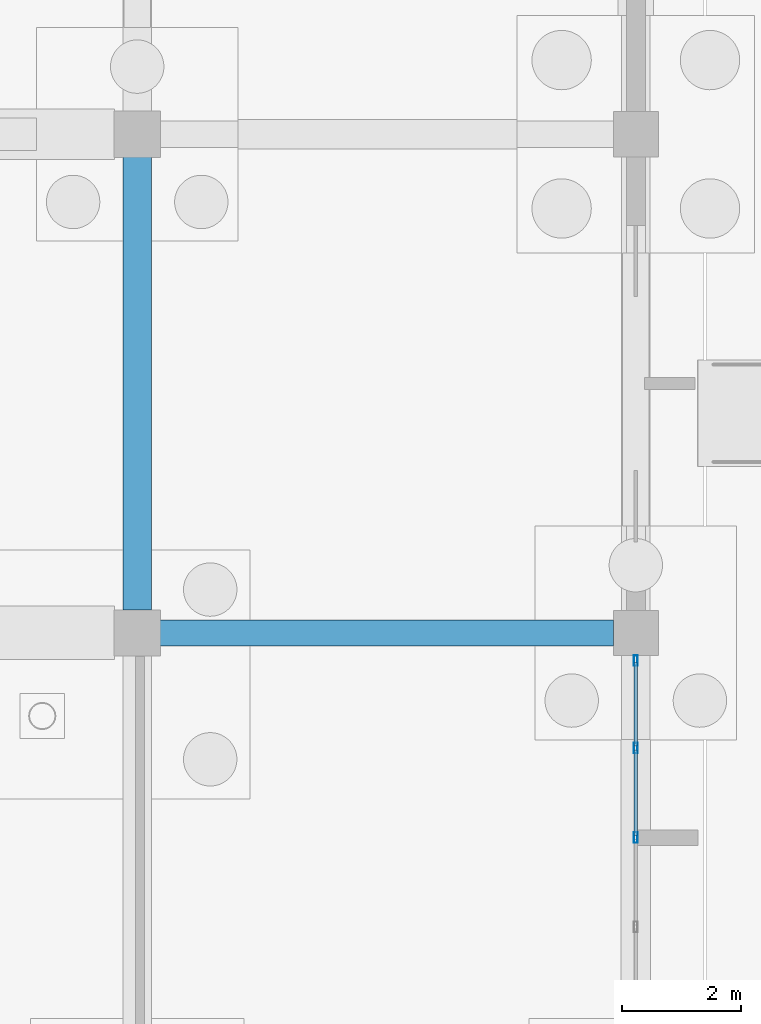
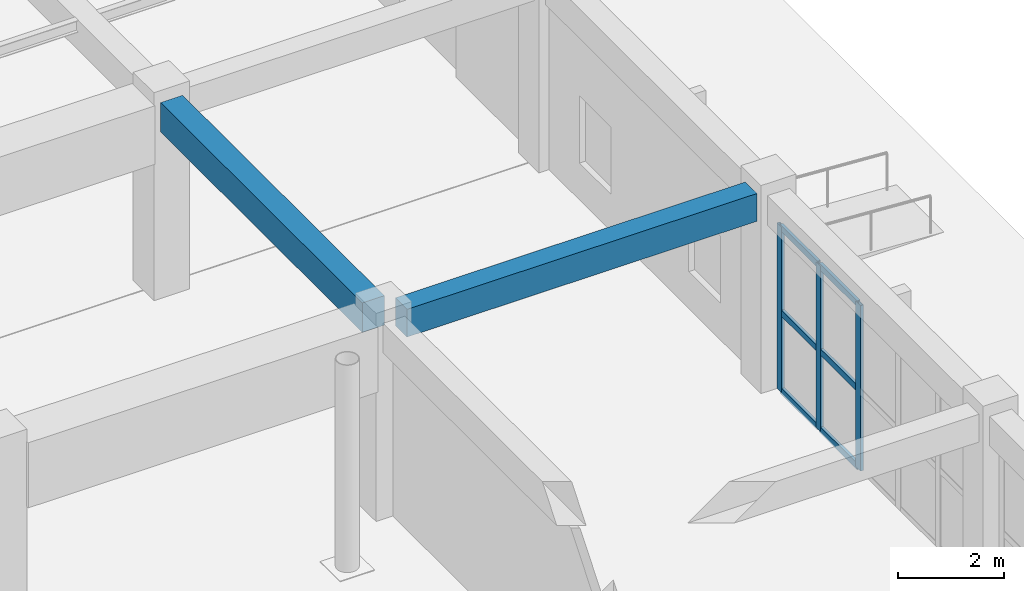
# One storey, part 133 of 192: 9 members, 2 beams, 1 element without a shape of its own.
"""IFC4 building model written with IfcOpenShell, lengths in metres."""

from ifc_helpers import new_model, si_unit, direction, frame, origin, origin_2d, place, context, subcontext, project, spatial, rectangle, hollow_rectangle, extrude, material, layer, layer_set, material_profile, profile_set, type_object, element, aggregate, save


model = new_model("IFC4")

# Units and contexts
model_context = context("Model", 3, precision=1e-05, world=origin(), true_north=direction((0.0, 1.0)))
body_context = subcontext(model_context, "Body", "Model", "MODEL_VIEW")
ifc_project = project(units=[si_unit("LENGTHUNIT", "METRE"), si_unit("AREAUNIT", "SQUARE_METRE"), si_unit("VOLUMEUNIT", "CUBIC_METRE"), si_unit("PLANEANGLEUNIT", "RADIAN"), si_unit("MASSUNIT", "GRAM", prefix="KILO")], contexts=[model_context])

# Site, building, storey
site_placement = place(None, origin())
site = spatial("IfcSite", under=ifc_project, at=site_placement, CompositionType="ELEMENT")
building_placement = place(site_placement, origin())
building = spatial("IfcBuilding", under=site, at=building_placement, Name="Trelvath General Hospital", CompositionType="ELEMENT")
storey_placement = place(building_placement, origin())
storey = spatial("IfcBuildingStorey", under=building, at=storey_placement, Name="L00", CompositionType="ELEMENT", Elevation=0.0)

# Beams
ifc_material_1 = material(Name="Concrete C35/45", Category="concrete")
ifc_material_profile_1 = material_profile(ifc_material_1, rectangle(XDim=0.43994140625, YDim=0.639892578125, at=origin_2d()), Name="RCB440x640")
ifc_profile_set_1 = profile_set([ifc_material_profile_1], Name="Concrete C35/45")
beam_type_1 = type_object("IfcBeamType", Name="Beam RC440x640", PredefinedType="BEAM", material=ifc_profile_set_1)
beam_1_placement = place(storey_placement, frame((176.784912109375, 67.199951171875, 4.199951171875), z_axis=(1.0, 0.0, 0.0), x_axis=(0.0, 1.0, 0.0)))
element("IfcBeam", 1, at=beam_1_placement, inside=storey, type_object=beam_type_1, Name="Grid Beam BX-021I", PredefinedType="BEAM", context=body_context, shape_type="SweptSolid", body=[
    extrude(rectangle(XDim=0.43994140625, YDim=0.639892578125, at=origin_2d()), origin(), (0.0, 0.0, 1.0), 7.64013671875),
])
ifc_material_2 = material(Name="Concrete C35/45", Category="concrete")
ifc_material_profile_2 = material_profile(ifc_material_2, rectangle(XDim=0.47998046875, YDim=0.679931640625, at=origin_2d()), Name="RCB480x680")
ifc_profile_set_2 = profile_set([ifc_material_profile_2], Name="Concrete C35/45")
beam_type_2 = type_object("IfcBeamType", Name="Beam RC480x680", PredefinedType="BEAM", material=ifc_profile_set_2)
beam_2_placement = place(storey_placement, frame((176.39990234375, 67.5849609375, 4.179931640625), z_axis=(0.0, 1.0, 0.0), x_axis=(-1.0, 0.0, 0.0)))
element("IfcBeam", 2, at=beam_2_placement, inside=storey, type_object=beam_type_2, Name="Grid Beam BY-021I", PredefinedType="BEAM", context=body_context, shape_type="SweptSolid", body=[
    extrude(rectangle(XDim=0.47998046875, YDim=0.679931640625, at=origin_2d()), origin(), (0.0, 0.0, 1.0), 7.630126953125),
])

# Curtain wall, members
ifc_material_3 = material(Name="Anodised aluminium and low-E glass", Category="aluminium")
ifc_layer = layer(ifc_material_3, 0.179931640625)
ifc_layer_set = layer_set([ifc_layer], Name="Anodised aluminium and low-E glass")
curtain_wall_type = type_object("IfcCurtainWallType", Name="CW Facade 753 382 18", PredefinedType="USERDEFINED", material=ifc_layer_set)
curtain_wall_placement = place(storey_placement, origin())
curtain_wall = element("IfcCurtainWall", 3, at=curtain_wall_placement, inside=storey, type_object=curtain_wall_type, Name="Facade Curtain Wall CW-013", ObjectType="Unitised Glazed Curtain Wall", PredefinedType="USERDEFINED")
ifc_material_4 = material(Name="Anodised aluminium", Category="aluminium")
ifc_material_profile_3 = material_profile(ifc_material_4, hollow_rectangle(XDim=0.06494140625, YDim=0.179931640625, WallThickness=0.0048828125, at=origin_2d()), Name="RHS65x180x5")
ifc_profile_set_3 = profile_set([ifc_material_profile_3], Name="Anodised aluminium")
member_type_1 = type_object("IfcMemberType", Name="CurtainMullion 65x180", PredefinedType="MULLION", material=ifc_profile_set_3)
member_1_placement = place(storey_placement, frame((184.800048828125, 66.732421875, 0.0), z_axis=(0.0, 0.0, 1.0), x_axis=(1.0, 0.0, 0.0)))
member_1 = element("IfcMember", 4, at=member_1_placement, type_object=member_type_1, Name="CW-013 mullion 1", PredefinedType="MULLION", context=body_context, shape_type="SweptSolid", body=[
    extrude(hollow_rectangle(XDim=0.06494140625, YDim=0.179931640625, WallThickness=0.0048828125, at=origin_2d()), origin(), (0.0, 0.0, 1.0), 3.820068359375),
])
member_2_placement = place(storey_placement, frame((184.800048828125, 65.259033203125, 0.0), z_axis=(0.0, 0.0, 1.0), x_axis=(1.0, 0.0, 0.0)))
member_2 = element("IfcMember", 5, at=member_2_placement, type_object=member_type_1, Name="CW-013 mullion 2", PredefinedType="MULLION", context=body_context, shape_type="SweptSolid", body=[
    extrude(hollow_rectangle(XDim=0.06494140625, YDim=0.179931640625, WallThickness=0.0048828125, at=origin_2d()), origin(), (0.0, 0.0, 1.0), 3.820068359375),
])
member_3_placement = place(storey_placement, frame((184.800048828125, 63.7529296875, 0.0), z_axis=(0.0, 0.0, 1.0), x_axis=(1.0, 0.0, 0.0)))
member_3 = element("IfcMember", 6, at=member_3_placement, type_object=member_type_1, Name="CW-013 mullion 3", PredefinedType="MULLION", context=body_context, shape_type="SweptSolid", body=[
    extrude(hollow_rectangle(XDim=0.06494140625, YDim=0.179931640625, WallThickness=0.0048828125, at=origin_2d()), origin(), (0.0, 0.0, 1.0), 3.820068359375),
])
ifc_material_5 = material(Name="Anodised aluminium", Category="aluminium")
ifc_material_profile_4 = material_profile(ifc_material_5, hollow_rectangle(XDim=0.06494140625, YDim=0.14501953125, WallThickness=0.00390625, at=origin_2d()), Name="RHS65x145x4")
ifc_profile_set_4 = profile_set([ifc_material_profile_4], Name="Anodised aluminium")
member_type_2 = type_object("IfcMemberType", Name="CurtainTransom 65x145", PredefinedType="USERDEFINED", material=ifc_profile_set_4)
member_4_placement = place(storey_placement, frame((184.800048828125, 66.699951171875, 0.032470703125), z_axis=(0.0, -1.0, 0.0), x_axis=(1.0, 0.0, 0.0)))
member_4 = element("IfcMember", 7, at=member_4_placement, type_object=member_type_2, Name="CW-013 transom 1.1", ObjectType="TRANSOM", PredefinedType="USERDEFINED", context=body_context, shape_type="SweptSolid", body=[
    extrude(hollow_rectangle(XDim=0.06494140625, YDim=0.14501953125, WallThickness=0.00390625, at=origin_2d()), origin(), (0.0, 0.0, 1.0), 1.408447265625),
])
member_5_placement = place(storey_placement, frame((184.800048828125, 66.699951171875, 1.833984375), z_axis=(0.0, -1.0, 0.0), x_axis=(1.0, 0.0, 0.0)))
member_5 = element("IfcMember", 8, at=member_5_placement, type_object=member_type_2, Name="CW-013 transom 1.2", ObjectType="TRANSOM", PredefinedType="USERDEFINED", context=body_context, shape_type="SweptSolid", body=[
    extrude(hollow_rectangle(XDim=0.06494140625, YDim=0.14501953125, WallThickness=0.00390625, at=origin_2d()), origin(), (0.0, 0.0, 1.0), 1.408447265625),
])
member_6_placement = place(storey_placement, frame((184.800048828125, 66.699951171875, 3.78759765625), z_axis=(0.0, -1.0, 0.0), x_axis=(1.0, 0.0, 0.0)))
member_6 = element("IfcMember", 9, at=member_6_placement, type_object=member_type_2, Name="CW-013 transom 1.3", ObjectType="TRANSOM", PredefinedType="USERDEFINED", context=body_context, shape_type="SweptSolid", body=[
    extrude(hollow_rectangle(XDim=0.06494140625, YDim=0.14501953125, WallThickness=0.00390625, at=origin_2d()), origin(), (0.0, 0.0, 1.0), 1.408447265625),
])
member_7_placement = place(storey_placement, frame((184.800048828125, 65.2265625, 0.032470703125), z_axis=(0.0, -1.0, 0.0), x_axis=(1.0, 0.0, 0.0)))
member_7 = element("IfcMember", 10, at=member_7_placement, type_object=member_type_2, Name="CW-013 transom 2.1", ObjectType="TRANSOM", PredefinedType="USERDEFINED", context=body_context, shape_type="SweptSolid", body=[
    extrude(hollow_rectangle(XDim=0.06494140625, YDim=0.14501953125, WallThickness=0.00390625, at=origin_2d()), origin(), (0.0, 0.0, 1.0), 1.441162109375),
])
member_8_placement = place(storey_placement, frame((184.800048828125, 65.2265625, 1.833984375), z_axis=(0.0, -1.0, 0.0), x_axis=(1.0, 0.0, 0.0)))
member_8 = element("IfcMember", 11, at=member_8_placement, type_object=member_type_2, Name="CW-013 transom 2.2", ObjectType="TRANSOM", PredefinedType="USERDEFINED", context=body_context, shape_type="SweptSolid", body=[
    extrude(hollow_rectangle(XDim=0.06494140625, YDim=0.14501953125, WallThickness=0.00390625, at=origin_2d()), origin(), (0.0, 0.0, 1.0), 1.441162109375),
])
member_9_placement = place(storey_placement, frame((184.800048828125, 65.2265625, 3.78759765625), z_axis=(0.0, -1.0, 0.0), x_axis=(1.0, 0.0, 0.0)))
member_9 = element("IfcMember", 12, at=member_9_placement, type_object=member_type_2, Name="CW-013 transom 2.3", ObjectType="TRANSOM", PredefinedType="USERDEFINED", context=body_context, shape_type="SweptSolid", body=[
    extrude(hollow_rectangle(XDim=0.06494140625, YDim=0.14501953125, WallThickness=0.00390625, at=origin_2d()), origin(), (0.0, 0.0, 1.0), 1.441162109375),
])
aggregate(curtain_wall, [member_1, member_2, member_3, member_4, member_5, member_6, member_7, member_8, member_9])

save(model, "model.ifc")
